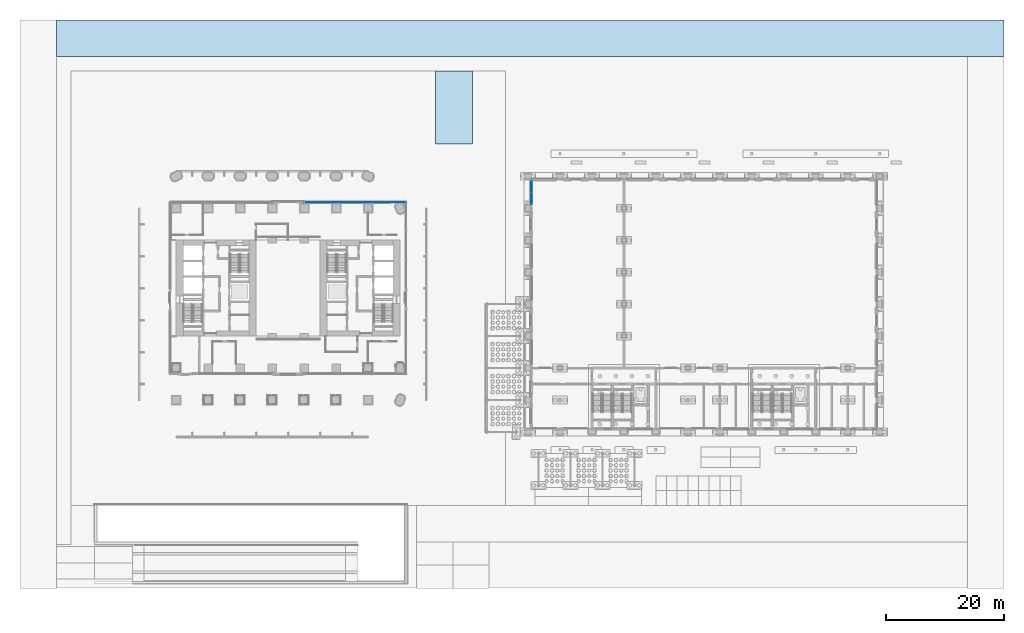
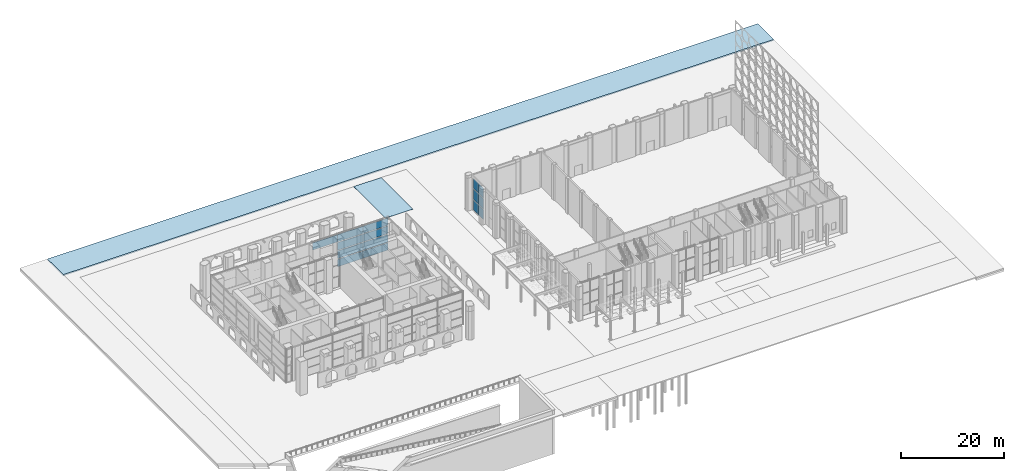
# One storey, part 26 of 54: 15 plates, 2 slabs, 2 elements without a shape of their own.
"""IFC4 building model written with IfcOpenShell, lengths in metres."""

from ifc_helpers import new_model, si_unit, direction, frame, origin, origin_2d, place, context, subcontext, project, spatial, polyline, rectangle, outline, extrude, material, layer, layer_set, type_object, element, aggregate, save


model = new_model("IFC4")

# Units and contexts
model_context = context("Model", 3, precision=1e-05, world=origin(), true_north=direction((0.0, 1.0)))
body_context = subcontext(model_context, "Body", "Model", "MODEL_VIEW")
ifc_project = project(units=[si_unit("LENGTHUNIT", "METRE"), si_unit("AREAUNIT", "SQUARE_METRE"), si_unit("VOLUMEUNIT", "CUBIC_METRE"), si_unit("PLANEANGLEUNIT", "RADIAN"), si_unit("MASSUNIT", "GRAM", prefix="KILO")], contexts=[model_context])

# Site, building, storey
site_placement = place(None, origin())
site = spatial("IfcSite", under=ifc_project, at=site_placement, CompositionType="ELEMENT")
building_placement = place(site_placement, origin())
building = spatial("IfcBuilding", under=site, at=building_placement, Name="Tabaq Tower and Sports Hall", CompositionType="ELEMENT")
storey_placement = place(building_placement, origin())
storey = spatial("IfcBuildingStorey", under=building, at=storey_placement, Name="L00", CompositionType="ELEMENT", Elevation=0.0)

# Slab
ifc_material_1 = material(Name="Asphalt wearing course on crushed limestone base", Category="masonry")
ifc_layer_1 = layer(ifc_material_1, 0.300048828125)
ifc_layer_set_1 = layer_set([ifc_layer_1], Name="ASPHALT ROAD 300")
slab_type_1 = type_object("IfcSlabType", Name="ASPHALT ROAD 300", PredefinedType="USERDEFINED", material=ifc_layer_set_1)
slab_1_placement = place(storey_placement, frame((0.0, 0.0, -0.300048828125)))
element("IfcSlab", 1, at=slab_1_placement, inside=storey, type_object=slab_type_1, Name="North Road (fire appliance access)", ObjectType="PAVING", PredefinedType="USERDEFINED", context=body_context, shape_type="SweptSolid", body=[
    extrude(outline(polyline([(-14.800048828125, 69.580078125), (-14.800048828125, 63.39990234375), (145.179931640625, 63.39990234375), (145.179931640625, 69.580078125), (-14.800048828125, 69.580078125)])), origin(), (0.0, 0.0, 1.0), 0.300048828125),
])

# Curtain wall, plates
ifc_material_2 = material(Name="Aluminium alloy 6063-T6 framed glazing", Category="aluminium")
curtain_wall_type_1 = type_object("IfcCurtainWallType", Name="CW4 curtain wall", PredefinedType="USERDEFINED", material=ifc_material_2)
curtain_wall_1_placement = place(storey_placement, origin())
curtain_wall_1 = element("IfcCurtainWall", 2, at=curtain_wall_1_placement, inside=storey, type_object=curtain_wall_type_1, Name="Ground lobby wall N", ObjectType="GROUND LOBBY WALL", PredefinedType="USERDEFINED")
ifc_material_3 = material(Name="Clear low-emissivity glass 28 mm", Category="glass")
ifc_layer_2 = layer(ifc_material_3, 0.035888671875)
ifc_layer_set_2 = layer_set([ifc_layer_2], Name="CW4 glass panel 36")
plate_type_1 = type_object("IfcPlateType", Name="CW4 glass panel 36", PredefinedType="CURTAIN_PANEL", material=ifc_layer_set_2)
plate_1_placement = place(storey_placement, frame((29.88671875, 38.800048828125, 6.080078125), z_axis=(0.0, 0.0, 1.0), x_axis=(1.0, 0.0, 0.0)))
plate_1 = element("IfcPlate", 3, at=plate_1_placement, type_object=plate_type_1, Name="CW4 panel 1.4", PredefinedType="CURTAIN_PANEL", context=body_context, shape_type="SweptSolid", body=[
    extrude(rectangle(XDim=5.61328125, YDim=0.035888671875, at=origin_2d()), origin(), (0.0, 0.0, 1.0), 1.760009765625),
])
plate_2_placement = place(storey_placement, frame((35.60009765625, 38.800048828125, 0.16015625), z_axis=(0.0, 0.0, 1.0), x_axis=(1.0, 0.0, 0.0)))
plate_2 = element("IfcPlate", 4, at=plate_2_placement, type_object=plate_type_1, Name="CW4 panel 2.1", PredefinedType="CURTAIN_PANEL", context=body_context, shape_type="SweptSolid", body=[
    extrude(rectangle(XDim=5.6533203125, YDim=0.035888671875, at=origin_2d()), origin(), (0.0, 0.0, 1.0), 1.760009765625),
])
plate_3_placement = place(storey_placement, frame((35.60009765625, 38.800048828125, 2.080078125), z_axis=(0.0, 0.0, 1.0), x_axis=(1.0, 0.0, 0.0)))
plate_3 = element("IfcPlate", 5, at=plate_3_placement, type_object=plate_type_1, Name="CW4 panel 2.2", PredefinedType="CURTAIN_PANEL", context=body_context, shape_type="SweptSolid", body=[
    extrude(rectangle(XDim=5.6533203125, YDim=0.035888671875, at=origin_2d()), origin(), (0.0, 0.0, 1.0), 1.840087890625),
])
plate_4_placement = place(storey_placement, frame((35.60009765625, 38.800048828125, 4.080078125), z_axis=(0.0, 0.0, 1.0), x_axis=(1.0, 0.0, 0.0)))
plate_4 = element("IfcPlate", 6, at=plate_4_placement, type_object=plate_type_1, Name="CW4 panel 2.3", PredefinedType="CURTAIN_PANEL", context=body_context, shape_type="SweptSolid", body=[
    extrude(rectangle(XDim=5.6533203125, YDim=0.035888671875, at=origin_2d()), origin(), (0.0, 0.0, 1.0), 1.840087890625),
])
plate_5_placement = place(storey_placement, frame((35.60009765625, 38.800048828125, 6.080078125), z_axis=(0.0, 0.0, 1.0), x_axis=(1.0, 0.0, 0.0)))
plate_5 = element("IfcPlate", 7, at=plate_5_placement, type_object=plate_type_1, Name="CW4 panel 2.4", PredefinedType="CURTAIN_PANEL", context=body_context, shape_type="SweptSolid", body=[
    extrude(rectangle(XDim=5.6533203125, YDim=0.035888671875, at=origin_2d()), origin(), (0.0, 0.0, 1.0), 1.760009765625),
])
plate_6_placement = place(storey_placement, frame((41.313232421875, 38.800048828125, 0.16015625), z_axis=(0.0, 0.0, 1.0), x_axis=(1.0, 0.0, 0.0)))
plate_6 = element("IfcPlate", 8, at=plate_6_placement, type_object=plate_type_1, Name="CW4 panel 3.1", PredefinedType="CURTAIN_PANEL", context=body_context, shape_type="SweptSolid", body=[
    extrude(rectangle(XDim=5.61328125, YDim=0.035888671875, at=origin_2d()), origin(), (0.0, 0.0, 1.0), 1.760009765625),
])
plate_7_placement = place(storey_placement, frame((41.313232421875, 38.800048828125, 2.080078125), z_axis=(0.0, 0.0, 1.0), x_axis=(1.0, 0.0, 0.0)))
plate_7 = element("IfcPlate", 9, at=plate_7_placement, type_object=plate_type_1, Name="CW4 panel 3.2", PredefinedType="CURTAIN_PANEL", context=body_context, shape_type="SweptSolid", body=[
    extrude(rectangle(XDim=5.61328125, YDim=0.035888671875, at=origin_2d()), origin(), (0.0, 0.0, 1.0), 1.840087890625),
])
plate_8_placement = place(storey_placement, frame((41.313232421875, 38.800048828125, 4.080078125), z_axis=(0.0, 0.0, 1.0), x_axis=(1.0, 0.0, 0.0)))
plate_8 = element("IfcPlate", 10, at=plate_8_placement, type_object=plate_type_1, Name="CW4 panel 3.3", PredefinedType="CURTAIN_PANEL", context=body_context, shape_type="SweptSolid", body=[
    extrude(rectangle(XDim=5.61328125, YDim=0.035888671875, at=origin_2d()), origin(), (0.0, 0.0, 1.0), 1.840087890625),
])
plate_9_placement = place(storey_placement, frame((41.313232421875, 38.800048828125, 6.080078125), z_axis=(0.0, 0.0, 1.0), x_axis=(1.0, 0.0, 0.0)))
plate_9 = element("IfcPlate", 11, at=plate_9_placement, type_object=plate_type_1, Name="CW4 panel 3.4", PredefinedType="CURTAIN_PANEL", context=body_context, shape_type="SweptSolid", body=[
    extrude(rectangle(XDim=5.61328125, YDim=0.035888671875, at=origin_2d()), origin(), (0.0, 0.0, 1.0), 1.760009765625),
])
aggregate(curtain_wall_1, [plate_1, plate_2, plate_3, plate_4, plate_5, plate_6, plate_7, plate_8, plate_9])

ifc_material_4 = material(Name="Aluminium alloy 6063-T6 framed glazing", Category="aluminium")
curtain_wall_type_2 = type_object("IfcCurtainWallType", Name="CW6 curtain wall", PredefinedType="USERDEFINED", material=ifc_material_4)
curtain_wall_2_placement = place(storey_placement, origin())
curtain_wall_2 = element("IfcCurtainWall", 12, at=curtain_wall_2_placement, inside=storey, type_object=curtain_wall_type_2, Name="L00 W hall glazing run", ObjectType="HALL FACADE WALL", PredefinedType="USERDEFINED")
ifc_material_5 = material(Name="Clear low-emissivity glass 28 mm", Category="glass")
ifc_layer_3 = layer(ifc_material_5, 0.031982421875)
ifc_layer_set_3 = layer_set([ifc_layer_3], Name="CW6 glass panel 32")
plate_type_2 = type_object("IfcPlateType", Name="CW6 glass panel 32", PredefinedType="CURTAIN_PANEL", material=ifc_layer_set_3)
plate_10_placement = place(storey_placement, frame((65.39990234375, 39.429931640625, 0.16015625), z_axis=(0.0, 0.0, 1.0), x_axis=(0.0, 1.0, 0.0)))
plate_10 = element("IfcPlate", 13, at=plate_10_placement, type_object=plate_type_2, Name="CW6 panel 1.1", PredefinedType="CURTAIN_PANEL", context=body_context, shape_type="SweptSolid", body=[
    extrude(rectangle(XDim=1.919921875, YDim=0.031982421875, at=origin_2d()), origin(), (0.0, 0.0, 1.0), 2.360107421875),
])
plate_11_placement = place(storey_placement, frame((65.39990234375, 39.429931640625, 2.679931640625), z_axis=(0.0, 0.0, 1.0), x_axis=(0.0, 1.0, 0.0)))
plate_11 = element("IfcPlate", 14, at=plate_11_placement, type_object=plate_type_2, Name="CW6 panel 1.2", PredefinedType="CURTAIN_PANEL", context=body_context, shape_type="SweptSolid", body=[
    extrude(rectangle(XDim=1.919921875, YDim=0.031982421875, at=origin_2d()), origin(), (0.0, 0.0, 1.0), 2.43994140625),
])
plate_12_placement = place(storey_placement, frame((65.39990234375, 39.429931640625, 5.27978515625), z_axis=(0.0, 0.0, 1.0), x_axis=(0.0, 1.0, 0.0)))
plate_12 = element("IfcPlate", 15, at=plate_12_placement, type_object=plate_type_2, Name="CW6 panel 1.3", PredefinedType="CURTAIN_PANEL", context=body_context, shape_type="SweptSolid", body=[
    extrude(rectangle(XDim=1.919921875, YDim=0.031982421875, at=origin_2d()), origin(), (0.0, 0.0, 1.0), 2.360107421875),
])
plate_13_placement = place(storey_placement, frame((65.39990234375, 41.419921875, 0.16015625), z_axis=(0.0, 0.0, 1.0), x_axis=(0.0, 1.0, 0.0)))
plate_13 = element("IfcPlate", 16, at=plate_13_placement, type_object=plate_type_2, Name="CW6 panel 2.1", PredefinedType="CURTAIN_PANEL", context=body_context, shape_type="SweptSolid", body=[
    extrude(rectangle(XDim=1.919921875, YDim=0.031982421875, at=origin_2d()), origin(), (0.0, 0.0, 1.0), 2.360107421875),
])
plate_14_placement = place(storey_placement, frame((65.39990234375, 41.419921875, 2.679931640625), z_axis=(0.0, 0.0, 1.0), x_axis=(0.0, 1.0, 0.0)))
plate_14 = element("IfcPlate", 17, at=plate_14_placement, type_object=plate_type_2, Name="CW6 panel 2.2", PredefinedType="CURTAIN_PANEL", context=body_context, shape_type="SweptSolid", body=[
    extrude(rectangle(XDim=1.919921875, YDim=0.031982421875, at=origin_2d()), origin(), (0.0, 0.0, 1.0), 2.43994140625),
])
plate_15_placement = place(storey_placement, frame((65.39990234375, 41.419921875, 5.27978515625), z_axis=(0.0, 0.0, 1.0), x_axis=(0.0, 1.0, 0.0)))
plate_15 = element("IfcPlate", 18, at=plate_15_placement, type_object=plate_type_2, Name="CW6 panel 2.3", PredefinedType="CURTAIN_PANEL", context=body_context, shape_type="SweptSolid", body=[
    extrude(rectangle(XDim=1.919921875, YDim=0.031982421875, at=origin_2d()), origin(), (0.0, 0.0, 1.0), 2.360107421875),
])
aggregate(curtain_wall_2, [plate_10, plate_11, plate_12, plate_13, plate_14, plate_15])

# Slab
ifc_material_6 = material(Name="Epoxy coated concrete C35/45 topping", Category="concrete")
ifc_layer_4 = layer(ifc_material_6, 0.030029296875)
ifc_layer_set_4 = layer_set([ifc_layer_4], Name="FIRE LANE SURFACE 30")
slab_type_2 = type_object("IfcSlabType", Name="FIRE LANE SURFACE 30", PredefinedType="USERDEFINED", material=ifc_layer_set_4)
slab_2_placement = place(storey_placement, origin())
element("IfcSlab", 19, at=slab_2_placement, inside=storey, type_object=slab_type_2, Name="Fire appliance lane on the plaza deck", ObjectType="PAVING", PredefinedType="USERDEFINED", context=body_context, shape_type="SweptSolid", body=[
    extrude(outline(polyline([(49.199951171875, 48.60009765625), (55.39990234375, 48.60009765625), (55.39990234375, 61.0), (49.199951171875, 61.0), (49.199951171875, 48.60009765625)])), origin(), (0.0, 0.0, 1.0), 0.030029296875),
])

save(model, "model.ifc")
